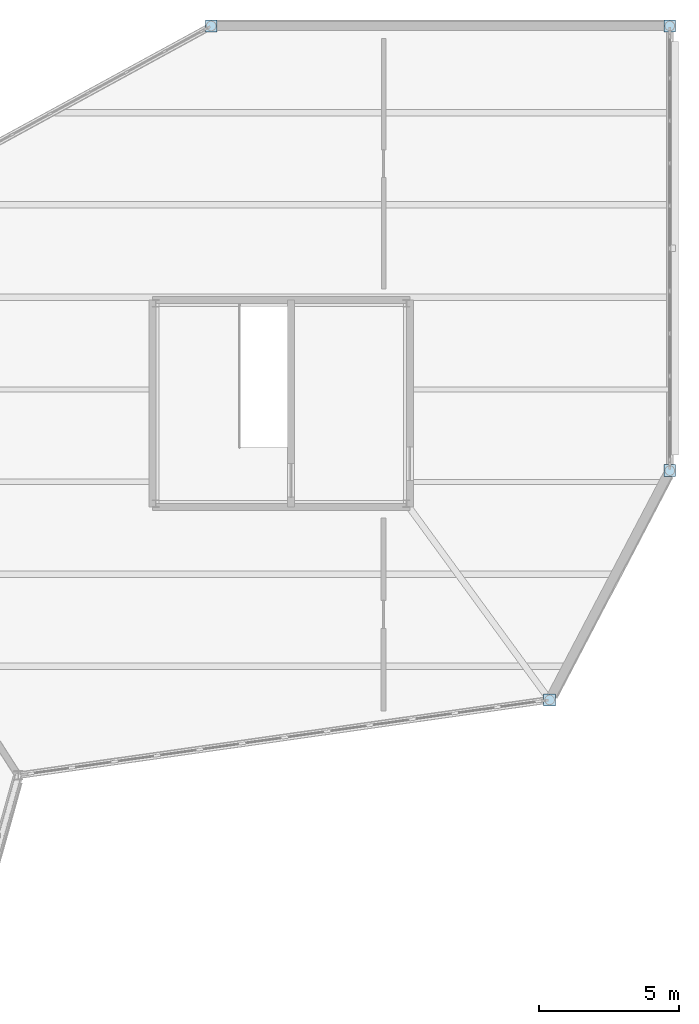
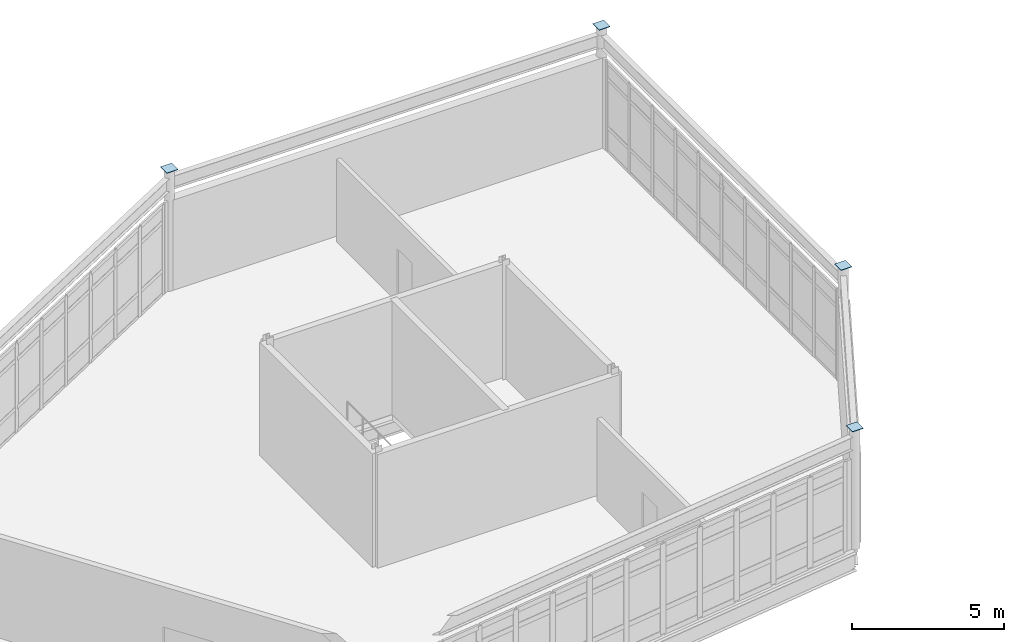
# One storey, part 86 of 114: 4 plates.
"""IFC4 building model written with IfcOpenShell, lengths in metres."""

from ifc_helpers import new_model, si_unit, direction, frame, origin, origin_2d, place, context, subcontext, project, spatial, rectangle, extrude, material, layer, layer_set, type_object, element, save


model = new_model("IFC4")

# Units and contexts
model_context = context("Model", 3, precision=1e-05, world=origin(), true_north=direction((0.0, 1.0)))
body_context = subcontext(model_context, "Body", "Model", "MODEL_VIEW")
ifc_project = project(units=[si_unit("LENGTHUNIT", "METRE"), si_unit("AREAUNIT", "SQUARE_METRE"), si_unit("VOLUMEUNIT", "CUBIC_METRE"), si_unit("PLANEANGLEUNIT", "RADIAN"), si_unit("MASSUNIT", "GRAM", prefix="KILO")], contexts=[model_context])

# Site, building, storey
site_placement = place(None, origin())
site = spatial("IfcSite", under=ifc_project, at=site_placement, CompositionType="ELEMENT")
building_placement = place(site_placement, origin())
building = spatial("IfcBuilding", under=site, at=building_placement, Name="Tameran Prism Museum", CompositionType="ELEMENT")
storey_placement = place(building_placement, frame((0.0, 0.0, 10.199951171875)))
storey = spatial("IfcBuildingStorey", under=building, at=storey_placement, Name="L02", CompositionType="ELEMENT", Elevation=10.199951171875)

# Plates
ifc_material = material(Name="Steel Grade 350 (350 MPa)", Category="steel")
ifc_layer = layer(ifc_material, 0.02001953125)
ifc_layer_set = layer_set([ifc_layer])
plate_type = type_object("IfcPlateType", Name="PL-GUS-20", PredefinedType="USERDEFINED", material=ifc_layer_set)
for number, where, z_axis, x_axis, name in (
    (1, (150.0, 112.0, 4.800048828125), (0.0, 0.0, 1.0), (1.0, 0.0, 0.0), "Hollow Column End Cap Plate CC-CV-63"),
    (2, (162.10009765625, 87.89990234375, 4.800048828125), (0.0, 0.0, 1.0), (1.0, 0.0, 0.0), "Hollow Column End Cap Plate CC-CV-67"),
    (3, (166.39990234375, 96.10009765625, 4.800048828125), (0.0, 0.0, 1.0), (1.0, 0.0, 0.0), "Hollow Column End Cap Plate CC-CV-71"),
    (4, (166.39990234375, 112.0, 4.800048828125), (0.0, 0.0, 1.0), (1.0, 0.0, 0.0), "Hollow Column End Cap Plate CC-CV-72"),
):
    element("IfcPlate", number, at=place(storey_placement, frame(where, z_axis=z_axis, x_axis=x_axis)), inside=storey, type_object=plate_type, Name=name, ObjectType="GUSSET PLATE", PredefinedType="USERDEFINED", context=body_context, shape_type="SweptSolid", body=[
        extrude(rectangle(XDim=0.419921875, YDim=0.419921875, at=origin_2d()), origin(), (0.0, 0.0, 1.0), 0.02001953125),
    ])

save(model, "model.ifc")
